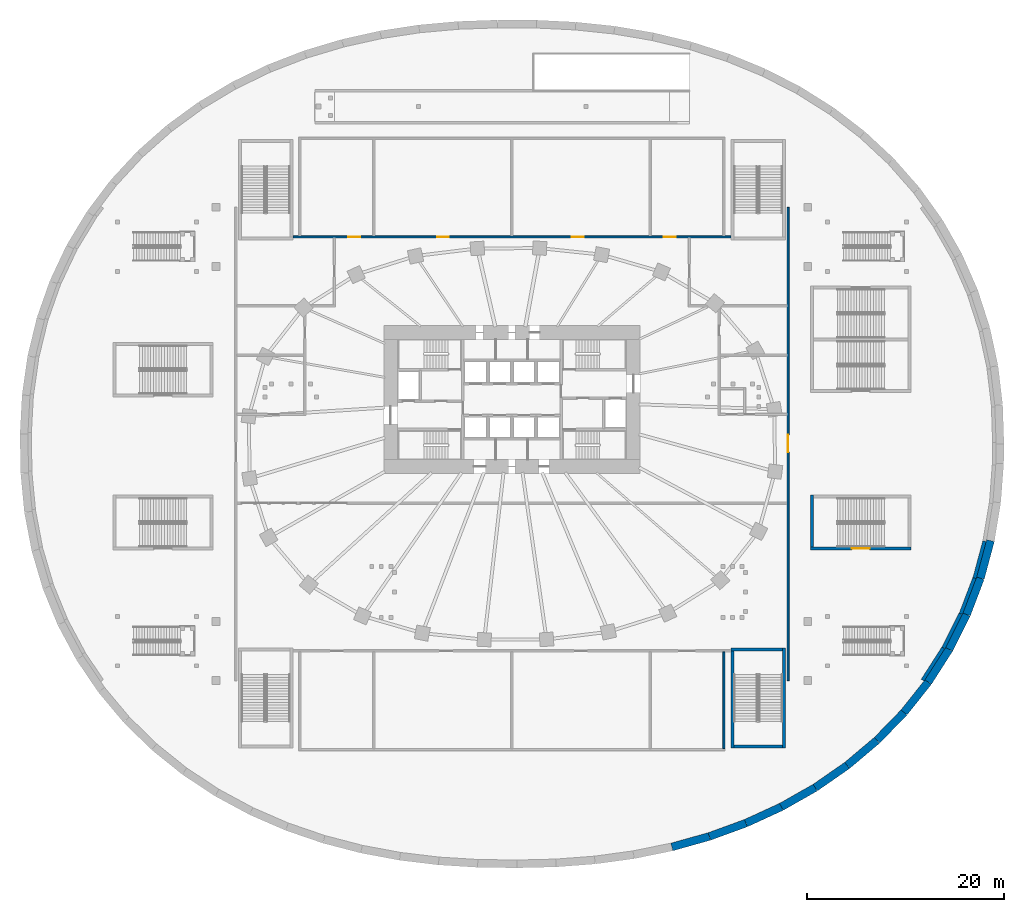
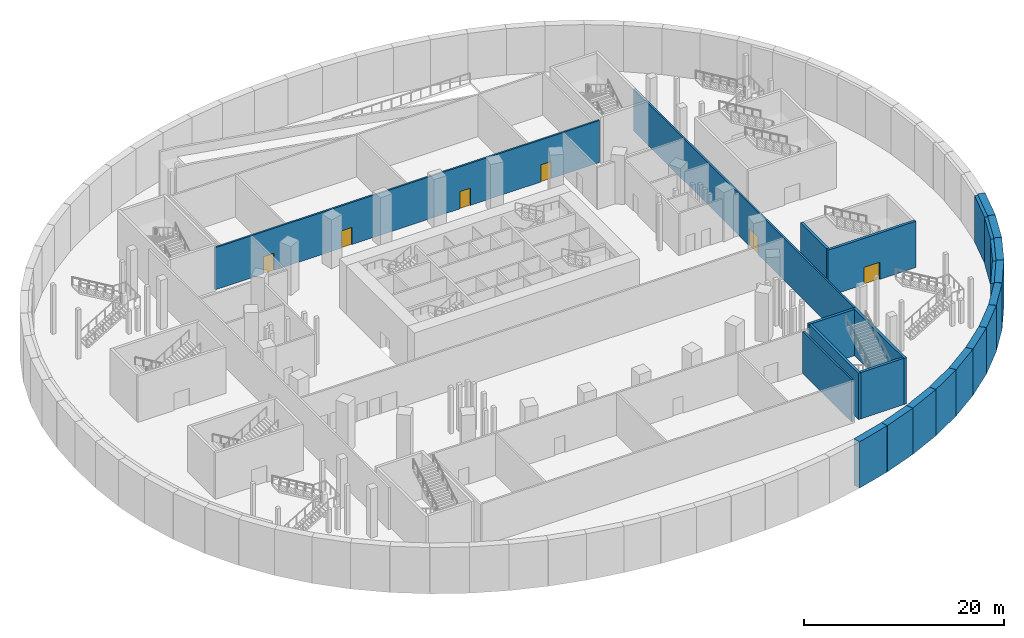
# One storey, part 7 of 19: 25 walls, 6 doors, 6 openings.
"""IFC4 building model written with IfcOpenShell, lengths in metres."""

from ifc_helpers import new_model, si_unit, direction, frame, frame_2d, origin, place, context, subcontext, project, spatial, rectangle, extrude, material, layer, layer_set, type_object, element, fill, save


model = new_model("IFC4")

# Units and contexts
model_context = context("Model", 3, precision=1e-05, world=origin(), true_north=direction((0.0, 1.0)))
body_context = subcontext(model_context, "Body", "Model", "MODEL_VIEW")
ifc_project = project(units=[si_unit("LENGTHUNIT", "METRE"), si_unit("AREAUNIT", "SQUARE_METRE"), si_unit("VOLUMEUNIT", "CUBIC_METRE"), si_unit("PLANEANGLEUNIT", "RADIAN"), si_unit("MASSUNIT", "GRAM", prefix="KILO")], contexts=[model_context])

# Site, building, storey
site_placement = place(None, origin())
site = spatial("IfcSite", under=ifc_project, at=site_placement, CompositionType="ELEMENT")
building_placement = place(site_placement, origin())
building = spatial("IfcBuilding", under=site, at=building_placement, Name="Rubra Terraces Tower", CompositionType="ELEMENT")
storey_placement = place(building_placement, frame((0.0, 0.0, -6.0)))
storey = spatial("IfcBuildingStorey", under=building, at=storey_placement, Name="B1", CompositionType="ELEMENT", Elevation=-6.0)

# Walls
ifc_material_1 = material(Name="Concrete C40", Category="concrete")
ifc_layer_1 = layer(ifc_material_1, 0.800048828125)
ifc_layer_set_1 = layer_set([ifc_layer_1], Name="Concrete C40")
wall_type_1 = type_object("IfcWallType", Name="BASEMENT WALL 800", PredefinedType="SOLIDWALL", material=ifc_layer_set_1)
wall_1_placement = place(storey_placement, frame((48.532958984375, -9.81005859375, 0.0), z_axis=(0.0, 0.0, 1.0), x_axis=(-0.259149694678, -0.965837168341, 0.0)))
element("IfcWall", 1, at=wall_1_placement, inside=storey, type_object=wall_type_1, Name="wall-B1-basement-004", PredefinedType="SOLIDWALL", context=body_context, shape_type="SweptSolid", body=[
    extrude(rectangle(XDim=3.943603515625, YDim=0.800048828125, at=frame_2d((1.9716796875, 0.0))), origin(), (0.0, 0.0, 1.0), 5.64990234375),
])
wall_2_placement = place(storey_placement, frame((47.510986328125, -13.618896484375, 0.0), z_axis=(0.0, 0.0, 1.0), x_axis=(-0.355258877159, -0.93476795527, 0.0)))
element("IfcWall", 2, at=wall_2_placement, inside=storey, type_object=wall_type_1, Name="wall-B1-basement-005", PredefinedType="SOLIDWALL", context=body_context, shape_type="SweptSolid", body=[
    extrude(rectangle(XDim=3.943359375, YDim=0.800048828125, at=frame_2d((1.9716796875, 0.0))), origin(), (0.0, 0.0, 1.0), 5.64990234375),
])
wall_3_placement = place(storey_placement, frame((46.110107421875, -17.304931640625, 0.0), z_axis=(0.0, 0.0, 1.0), x_axis=(-0.44924376219, -0.893409224339, 0.0)))
element("IfcWall", 3, at=wall_3_placement, inside=storey, type_object=wall_type_1, Name="wall-B1-basement-006", PredefinedType="SOLIDWALL", context=body_context, shape_type="SweptSolid", body=[
    extrude(rectangle(XDim=3.942138671875, YDim=0.800048828125, at=frame_2d((1.97119140625, 0.0))), origin(), (0.0, 0.0, 1.0), 5.64990234375),
])
wall_4_placement = place(storey_placement, frame((44.339111328125, -20.826904296875, 0.0), z_axis=(0.0, 0.0, 1.0), x_axis=(-0.538906036872, -0.842365884532, 0.0)))
element("IfcWall", 4, at=wall_4_placement, inside=storey, type_object=wall_type_1, Name="wall-B1-basement-007", PredefinedType="SOLIDWALL", context=body_context, shape_type="SweptSolid", body=[
    extrude(rectangle(XDim=3.94140625, YDim=0.800048828125, at=frame_2d((1.970703125, 0.0))), origin(), (0.0, 0.0, 1.0), 5.64990234375),
])
wall_5_placement = place(storey_placement, frame((42.215087890625, -24.14697265625, 0.0), z_axis=(0.0, 0.0, 1.0), x_axis=(-0.622154611961, -0.782894398252, 0.0)))
element("IfcWall", 5, at=wall_5_placement, inside=storey, type_object=wall_type_1, Name="wall-B1-basement-008", PredefinedType="SOLIDWALL", context=body_context, shape_type="SweptSolid", body=[
    extrude(rectangle(XDim=3.94287109375, YDim=0.800048828125, at=frame_2d((1.971435546875, 0.0))), origin(), (0.0, 0.0, 1.0), 5.64990234375),
])
wall_6_placement = place(storey_placement, frame((39.761962890625, -27.23388671875, 0.0), z_axis=(0.0, 0.0, 1.0), x_axis=(-0.697258698396, -0.716819578074, 0.0)))
element("IfcWall", 6, at=wall_6_placement, inside=storey, type_object=wall_type_1, Name="wall-B1-basement-009", PredefinedType="SOLIDWALL", context=body_context, shape_type="SweptSolid", body=[
    extrude(rectangle(XDim=3.944091796875, YDim=0.800048828125, at=frame_2d((1.97216796875, 0.0))), origin(), (0.0, 0.0, 1.0), 5.64990234375),
])
wall_7_placement = place(storey_placement, frame((37.011962890625, -30.06103515625, 0.0), z_axis=(0.0, 0.0, 1.0), x_axis=(-0.764050254551, -0.645156731749, 0.0)))
element("IfcWall", 7, at=wall_7_placement, inside=storey, type_object=wall_type_1, Name="wall-B1-basement-010", PredefinedType="SOLIDWALL", context=body_context, shape_type="SweptSolid", body=[
    extrude(rectangle(XDim=3.944580078125, YDim=0.800048828125, at=frame_2d((1.97216796875, 0.0))), origin(), (0.0, 0.0, 1.0), 5.64990234375),
])
wall_8_placement = place(storey_placement, frame((33.998046875, -32.60595703125, 0.0), z_axis=(0.0, 0.0, 1.0), x_axis=(-0.821333730516, -0.570447984584, 0.0)))
element("IfcWall", 8, at=wall_8_placement, inside=storey, type_object=wall_type_1, Name="wall-B1-basement-011", PredefinedType="SOLIDWALL", context=body_context, shape_type="SweptSolid", body=[
    extrude(rectangle(XDim=3.946044921875, YDim=0.800048828125, at=frame_2d((1.97314453125, 0.0))), origin(), (0.0, 0.0, 1.0), 5.64990234375),
])
wall_9_placement = place(storey_placement, frame((30.757080078125, -34.85693359375, 0.0), z_axis=(0.0, 0.0, 1.0), x_axis=(-0.869457764199, -0.494007283625, 0.0)))
element("IfcWall", 9, at=wall_9_placement, inside=storey, type_object=wall_type_1, Name="wall-B1-basement-012", PredefinedType="SOLIDWALL", context=body_context, shape_type="SweptSolid", body=[
    extrude(rectangle(XDim=3.94970703125, YDim=0.800048828125, at=frame_2d((1.974853515625, 0.0))), origin(), (0.0, 0.0, 1.0), 5.64990234375),
])
wall_10_placement = place(storey_placement, frame((27.322998046875, -36.80810546875, 0.0), z_axis=(0.0, 0.0, 1.0), x_axis=(-0.908595078456, -0.417678085858, 0.0)))
element("IfcWall", 10, at=wall_10_placement, inside=storey, type_object=wall_type_1, Name="wall-B1-basement-013", PredefinedType="SOLIDWALL", context=body_context, shape_type="SweptSolid", body=[
    extrude(rectangle(XDim=3.9501953125, YDim=0.800048828125, at=frame_2d((1.97509765625, 0.0))), origin(), (0.0, 0.0, 1.0), 5.64990234375),
])
wall_11_placement = place(storey_placement, frame((23.73388671875, -38.4580078125, 0.0), z_axis=(0.0, 0.0, 1.0), x_axis=(-0.939587666613, -0.342308364999, 0.0)))
element("IfcWall", 11, at=wall_11_placement, inside=storey, type_object=wall_type_1, Name="wall-B1-basement-014", PredefinedType="SOLIDWALL", context=body_context, shape_type="SweptSolid", body=[
    extrude(rectangle(XDim=3.95263671875, YDim=0.800048828125, at=frame_2d((1.976318359375, 0.0))), origin(), (0.0, 0.0, 1.0), 5.64990234375),
])
wall_12_placement = place(storey_placement, frame((20.02001953125, -39.81103515625, 0.0), z_axis=(0.0, 0.0, 1.0), x_axis=(-0.962922974856, -0.26977647135, 0.0)))
element("IfcWall", 12, at=wall_12_placement, inside=storey, type_object=wall_type_1, Name="wall-B1-basement-015", PredefinedType="SOLIDWALL", context=body_context, shape_type="SweptSolid", body=[
    extrude(rectangle(XDim=3.954833984375, YDim=0.800048828125, at=frame_2d((1.9775390625, 0.0))), origin(), (0.0, 0.0, 1.0), 5.64990234375),
])

# Wall, opening, door
ifc_material_2 = material(Name="Blockwork", Category="masonry")
ifc_layer_2 = layer(ifc_material_2, 0.199951171875)
ifc_layer_set_2 = layer_set([ifc_layer_2], Name="Blockwork")
wall_type_2 = type_object("IfcWallType", Name="Corridor partition 200 blockwork", PredefinedType="PARTITIONING", material=ifc_layer_set_2)
wall_13_placement = place(storey_placement, frame((28.0, 24.0, 0.0), z_axis=(0.0, 0.0, 1.0), x_axis=(0.0, -1.0, 0.0)))
wall_13 = element("IfcWall", 13, at=wall_13_placement, inside=storey, type_object=wall_type_2, Name="Partition wall", PredefinedType="PARTITIONING", context=body_context, shape_type="SweptSolid", body=[
    extrude(rectangle(XDim=48.0, YDim=0.199951171875, at=frame_2d((24.0, 0.0))), origin(), (0.0, 0.0, 1.0), 5.14794921875),
])
opening_1_placement = place(wall_13_placement, frame((23.06298828125, 0.0, 0.0)))
opening_1 = element("IfcOpeningElement", 14, at=opening_1_placement, cuts=wall_13, Name="Opening DB3", PredefinedType="OPENING", context=body_context, shape_type="SweptSolid", body=[
    extrude(rectangle(XDim=1.800048828125, YDim=2.10009765625, at=frame_2d((0.89990234375, 1.050048828125))), frame((0.0, 0.10986328125, 0.0), z_axis=(0.0, -1.0, 0.0), x_axis=(1.0, 0.0, 0.0)), (0.0, 0.0, 1.0), 0.219970703125),
])
ifc_material_3 = material(Name="Painted steel", Category="steel")
door_type_1 = type_object("IfcDoorType", Name="Door 1800x2100 double", OperationType="NOTDEFINED", PredefinedType="DOOR", material=ifc_material_3)
door_1_placement = place(opening_1_placement, origin())
door_1 = element("IfcDoor", 15, at=door_1_placement, inside=storey, type_object=door_type_1, Name="Door B1-28", OperationType="DOUBLE_DOOR_SINGLE_SWING", OverallHeight=2.10009765625, OverallWidth=1.800048828125, PredefinedType="DOOR", context=body_context, shape_type="SweptSolid", body=[
    extrude(rectangle(XDim=1.800048828125, YDim=2.10009765625, at=frame_2d((0.89990234375, 1.050048828125))), frame((0.0, 0.02490234375, 0.0), z_axis=(0.0, -1.0, 0.0), x_axis=(1.0, 0.0, 0.0)), (0.0, 0.0, 1.0), 0.050048828125),
])
fill(opening_1, door_1)

# Wall, openings, doors
wall_14_placement = place(storey_placement, frame((-22.199951171875, 21.0, 0.0), z_axis=(0.0, 0.0, 1.0), x_axis=(1.0, 0.0, 0.0)))
wall_14 = element("IfcWall", 16, at=wall_14_placement, inside=storey, type_object=wall_type_2, Name="Partition wall", PredefinedType="PARTITIONING", context=body_context, shape_type="SweptSolid", body=[
    extrude(rectangle(XDim=44.39990234375, YDim=0.199951171875, at=frame_2d((22.199951171875, 0.0))), origin(), (0.0, 0.0, 1.0), 5.14794921875),
])
opening_2_placement = place(wall_14_placement, frame((5.60009765625, 0.0, 0.0)))
opening_2 = element("IfcOpeningElement", 17, at=opening_2_placement, cuts=wall_14, Name="Opening DB7", PredefinedType="OPENING", context=body_context, shape_type="SweptSolid", body=[
    extrude(rectangle(XDim=1.199951171875, YDim=2.10009765625, at=frame_2d((0.60009765625, 1.050048828125))), frame((0.0, 0.10986328125, 0.0), z_axis=(0.0, -1.0, 0.0), x_axis=(1.0, 0.0, 0.0)), (0.0, 0.0, 1.0), 0.219970703125),
])
opening_3_placement = place(wall_14_placement, frame((14.60009765625, 0.0, 0.0)))
opening_3 = element("IfcOpeningElement", 18, at=opening_3_placement, cuts=wall_14, Name="Opening DB7", PredefinedType="OPENING", context=body_context, shape_type="SweptSolid", body=[
    extrude(rectangle(XDim=1.199951171875, YDim=2.10009765625, at=frame_2d((0.60009765625, 1.050048828125))), frame((0.0, 0.10986328125, 0.0), z_axis=(0.0, -1.0, 0.0), x_axis=(1.0, 0.0, 0.0)), (0.0, 0.0, 1.0), 0.219970703125),
])
opening_4_placement = place(wall_14_placement, frame((28.259033203125, 0.0, 0.0)))
opening_4 = element("IfcOpeningElement", 19, at=opening_4_placement, cuts=wall_14, Name="Opening DB7", PredefinedType="OPENING", context=body_context, shape_type="SweptSolid", body=[
    extrude(rectangle(XDim=1.199951171875, YDim=2.10009765625, at=frame_2d((0.60009765625, 1.050048828125))), frame((0.0, 0.10986328125, 0.0), z_axis=(0.0, -1.0, 0.0), x_axis=(1.0, 0.0, 0.0)), (0.0, 0.0, 1.0), 0.219970703125),
])
opening_5_placement = place(wall_14_placement, frame((37.60009765625, 0.0, 0.0)))
opening_5 = element("IfcOpeningElement", 20, at=opening_5_placement, cuts=wall_14, Name="Opening DB7", PredefinedType="OPENING", context=body_context, shape_type="SweptSolid", body=[
    extrude(rectangle(XDim=1.199951171875, YDim=2.10009765625, at=frame_2d((0.60009765625, 1.050048828125))), frame((0.0, 0.10986328125, 0.0), z_axis=(0.0, -1.0, 0.0), x_axis=(1.0, 0.0, 0.0)), (0.0, 0.0, 1.0), 0.219970703125),
])
ifc_material_4 = material(Name="Painted timber", Category="wood")
door_type_2 = type_object("IfcDoorType", Name="Door 1200x2100 single", OperationType="NOTDEFINED", PredefinedType="DOOR", material=ifc_material_4)
door_2_placement = place(opening_2_placement, origin())
door_2 = element("IfcDoor", 21, at=door_2_placement, inside=storey, type_object=door_type_2, Name="Door B1-01", OperationType="SINGLE_SWING_LEFT", OverallHeight=2.10009765625, OverallWidth=1.199951171875, PredefinedType="DOOR", context=body_context, shape_type="SweptSolid", body=[
    extrude(rectangle(XDim=1.199951171875, YDim=2.10009765625, at=frame_2d((0.60009765625, 1.050048828125))), frame((0.0, 0.02490234375, 0.0), z_axis=(0.0, -1.0, 0.0), x_axis=(1.0, 0.0, 0.0)), (0.0, 0.0, 1.0), 0.050048828125),
])
fill(opening_2, door_2)
door_3_placement = place(opening_3_placement, origin())
door_3 = element("IfcDoor", 22, at=door_3_placement, inside=storey, type_object=door_type_2, Name="Door B1-02", OperationType="SINGLE_SWING_LEFT", OverallHeight=2.10009765625, OverallWidth=1.199951171875, PredefinedType="DOOR", context=body_context, shape_type="SweptSolid", body=[
    extrude(rectangle(XDim=1.199951171875, YDim=2.10009765625, at=frame_2d((0.60009765625, 1.050048828125))), frame((0.0, 0.02490234375, 0.0), z_axis=(0.0, -1.0, 0.0), x_axis=(1.0, 0.0, 0.0)), (0.0, 0.0, 1.0), 0.050048828125),
])
fill(opening_3, door_3)
door_4_placement = place(opening_4_placement, origin())
door_4 = element("IfcDoor", 23, at=door_4_placement, inside=storey, type_object=door_type_2, Name="Door B1-03", OperationType="SINGLE_SWING_LEFT", OverallHeight=2.10009765625, OverallWidth=1.199951171875, PredefinedType="DOOR", context=body_context, shape_type="SweptSolid", body=[
    extrude(rectangle(XDim=1.199951171875, YDim=2.10009765625, at=frame_2d((0.60009765625, 1.050048828125))), frame((0.0, 0.02490234375, 0.0), z_axis=(0.0, -1.0, 0.0), x_axis=(1.0, 0.0, 0.0)), (0.0, 0.0, 1.0), 0.050048828125),
])
fill(opening_4, door_4)
door_5_placement = place(opening_5_placement, origin())
door_5 = element("IfcDoor", 24, at=door_5_placement, inside=storey, type_object=door_type_2, Name="Door B1-04", OperationType="SINGLE_SWING_LEFT", OverallHeight=2.10009765625, OverallWidth=1.199951171875, PredefinedType="DOOR", context=body_context, shape_type="SweptSolid", body=[
    extrude(rectangle(XDim=1.199951171875, YDim=2.10009765625, at=frame_2d((0.60009765625, 1.050048828125))), frame((0.0, 0.02490234375, 0.0), z_axis=(0.0, -1.0, 0.0), x_axis=(1.0, 0.0, 0.0)), (0.0, 0.0, 1.0), 0.050048828125),
])
fill(opening_5, door_5)

# Walls
ifc_material_5 = material(Name="Concrete C40/50", Category="concrete")
ifc_layer_3 = layer(ifc_material_5, 0.35009765625)
ifc_layer_set_3 = layer_set([ifc_layer_3], Name="Concrete C40/50")
wall_type_3 = type_object("IfcWallType", Name="Retaining liner wall 350 concrete", PredefinedType="SOLIDWALL", material=ifc_layer_set_3)
wall_15_placement = place(storey_placement, frame((47.925048828125, -9.85693359375, 0.0), z_axis=(0.0, 0.0, 1.0), x_axis=(-0.259097125381, -0.965851271997, 0.0)))
element("IfcWall", 25, at=wall_15_placement, inside=storey, type_object=wall_type_3, Name="Retaining liner wall", PredefinedType="SOLIDWALL", context=body_context, shape_type="SweptSolid", body=[
    extrude(rectangle(XDim=3.886962890625, YDim=0.35009765625, at=frame_2d((1.943359375, 0.0))), origin(), (0.0, 0.0, 1.0), 5.64990234375),
])
wall_16_placement = place(storey_placement, frame((46.90087890625, -13.60595703125, 0.0), z_axis=(0.0, 0.0, 1.0), x_axis=(-0.355232039835, -0.934778154363, 0.0)))
element("IfcWall", 26, at=wall_16_placement, inside=storey, type_object=wall_type_3, Name="Retaining liner wall", PredefinedType="SOLIDWALL", context=body_context, shape_type="SweptSolid", body=[
    extrude(rectangle(XDim=3.884521484375, YDim=0.35009765625, at=frame_2d((1.9423828125, 0.0))), origin(), (0.0, 0.0, 1.0), 5.64990234375),
])
wall_17_placement = place(storey_placement, frame((45.50390625, -17.22900390625, 0.0), z_axis=(0.0, 0.0, 1.0), x_axis=(-0.449149239913, -0.893456747854, 0.0)))
element("IfcWall", 27, at=wall_17_placement, inside=storey, type_object=wall_type_3, Name="Retaining liner wall", PredefinedType="SOLIDWALL", context=body_context, shape_type="SweptSolid", body=[
    extrude(rectangle(XDim=3.882568359375, YDim=0.35009765625, at=frame_2d((1.94140625, 0.0))), origin(), (0.0, 0.0, 1.0), 5.64990234375),
])
wall_18_placement = place(storey_placement, frame((43.7451171875, -20.68896484375, 0.0), z_axis=(0.0, 0.0, 1.0), x_axis=(-0.538798521209, -0.842434658322, 0.0)))
element("IfcWall", 28, at=wall_18_placement, inside=storey, type_object=wall_type_3, Name="Retaining liner wall", PredefinedType="SOLIDWALL", context=body_context, shape_type="SweptSolid", body=[
    extrude(rectangle(XDim=3.8828125, YDim=0.35009765625, at=frame_2d((1.94140625, 0.0))), origin(), (0.0, 0.0, 1.0), 5.64990234375),
])
ifc_layer_4 = layer(ifc_material_2, 0.199951171875)
ifc_layer_set_4 = layer_set([ifc_layer_4], Name="Blockwork")
wall_type_4 = type_object("IfcWallType", Name="Room partition 200 blockwork", PredefinedType="PARTITIONING", material=ifc_layer_set_4)
wall_19_placement = place(storey_placement, frame((21.5, -21.10009765625, 0.0), z_axis=(0.0, 0.0, 1.0), x_axis=(0.0, -1.0, 0.0)))
element("IfcWall", 29, at=wall_19_placement, inside=storey, type_object=wall_type_4, Name="Partition wall", PredefinedType="PARTITIONING", context=body_context, shape_type="SweptSolid", body=[
    extrude(rectangle(XDim=9.7998046875, YDim=0.199951171875, at=frame_2d((4.89990234375, 0.0))), origin(), (0.0, 0.0, 1.0), 5.134033203125),
])
ifc_layer_5 = layer(ifc_material_5, 0.300048828125)
ifc_layer_set_5 = layer_set([ifc_layer_5], Name="Concrete C40/50")
wall_type_5 = type_object("IfcWallType", Name="Stair shaft wall 300 concrete", PredefinedType="SOLIDWALL", material=ifc_layer_set_5)
wall_20_placement = place(storey_placement, frame((27.60009765625, -30.860107421875, 0.0), z_axis=(0.0, 0.0, 1.0), x_axis=(0.0, 1.0, 0.0)))
element("IfcWall", 30, at=wall_20_placement, inside=storey, type_object=wall_type_5, Name="Stair shaft wall", PredefinedType="SOLIDWALL", context=body_context, shape_type="SweptSolid", body=[
    extrude(rectangle(XDim=10.16015625, YDim=0.300048828125, at=frame_2d((5.080078125, 0.0))), origin(), (0.0, 0.0, 1.0), 5.64990234375),
])
wall_21_placement = place(storey_placement, frame((27.449951171875, -20.85009765625, 0.0), z_axis=(0.0, 0.0, 1.0), x_axis=(-1.0, 0.0, 0.0)))
element("IfcWall", 31, at=wall_21_placement, inside=storey, type_object=wall_type_5, Name="Stair shaft wall", PredefinedType="SOLIDWALL", context=body_context, shape_type="SweptSolid", body=[
    extrude(rectangle(XDim=5.25, YDim=0.300048828125, at=frame_2d((2.625, 0.0))), origin(), (0.0, 0.0, 1.0), 5.64990234375),
])
wall_22_placement = place(storey_placement, frame((22.35009765625, -21.0, 0.0), z_axis=(0.0, 0.0, 1.0), x_axis=(0.0, -1.0, 0.0)))
element("IfcWall", 32, at=wall_22_placement, inside=storey, type_object=wall_type_5, Name="Stair shaft wall", PredefinedType="SOLIDWALL", context=body_context, shape_type="SweptSolid", body=[
    extrude(rectangle(XDim=9.860107421875, YDim=0.300048828125, at=frame_2d((4.93017578125, 0.0))), origin(), (0.0, 0.0, 1.0), 5.64990234375),
])

# Wall, opening, door
wall_23_placement = place(storey_placement, frame((40.4599609375, -10.60009765625, 0.0), z_axis=(0.0, 0.0, 1.0), x_axis=(-1.0, 0.0, 0.0)))
wall_23 = element("IfcWall", 33, at=wall_23_placement, inside=storey, type_object=wall_type_5, Name="Stair shaft wall", PredefinedType="SOLIDWALL", context=body_context, shape_type="SweptSolid", body=[
    extrude(rectangle(XDim=10.159912109375, YDim=0.300048828125, at=frame_2d((5.080078125, 0.0))), origin(), (0.0, 0.0, 1.0), 5.64990234375),
])
opening_6_placement = place(wall_23_placement, frame((4.179931640625, 0.0, 0.0)))
opening_6 = element("IfcOpeningElement", 34, at=opening_6_placement, cuts=wall_23, Name="Opening DB3", PredefinedType="OPENING", context=body_context, shape_type="SweptSolid", body=[
    extrude(rectangle(XDim=1.800048828125, YDim=2.10009765625, at=frame_2d((0.89990234375, 1.050048828125))), frame((0.0, 0.159912109375, 0.0), z_axis=(0.0, -1.0, 0.0), x_axis=(1.0, 0.0, 0.0)), (0.0, 0.0, 1.0), 0.320068359375),
])
door_6_placement = place(opening_6_placement, origin())
door_6 = element("IfcDoor", 35, at=door_6_placement, inside=storey, type_object=door_type_1, Name="Stair door B1-17", OperationType="DOUBLE_DOOR_SINGLE_SWING", OverallHeight=2.10009765625, OverallWidth=1.800048828125, PredefinedType="DOOR", context=body_context, shape_type="SweptSolid", body=[
    extrude(rectangle(XDim=1.800048828125, YDim=2.10009765625, at=frame_2d((0.89990234375, 1.050048828125))), frame((0.0, 0.02490234375, 0.0), z_axis=(0.0, -1.0, 0.0), x_axis=(1.0, 0.0, 0.0)), (0.0, 0.0, 1.0), 0.050048828125),
])
fill(opening_6, door_6)

# Walls
wall_24_placement = place(storey_placement, frame((30.449951171875, -10.449951171875, 0.0), z_axis=(0.0, 0.0, 1.0), x_axis=(0.0, 1.0, 0.0)))
element("IfcWall", 36, at=wall_24_placement, inside=storey, type_object=wall_type_5, Name="Stair shaft wall", PredefinedType="SOLIDWALL", context=body_context, shape_type="SweptSolid", body=[
    extrude(rectangle(XDim=5.25, YDim=0.300048828125, at=frame_2d((2.625, 0.0))), origin(), (0.0, 0.0, 1.0), 5.64990234375),
])
wall_25_placement = place(storey_placement, frame((27.449951171875, -30.7099609375, 0.0), z_axis=(0.0, 0.0, 1.0), x_axis=(-1.0, 0.0, 0.0)))
element("IfcWall", 37, at=wall_25_placement, inside=storey, type_object=wall_type_5, Name="Stair shaft wall", PredefinedType="SOLIDWALL", context=body_context, shape_type="SweptSolid", body=[
    extrude(rectangle(XDim=4.949951171875, YDim=0.300048828125, at=frame_2d((2.47509765625, 0.0))), origin(), (0.0, 0.0, 1.0), 5.64990234375),
])

save(model, "model.ifc")
